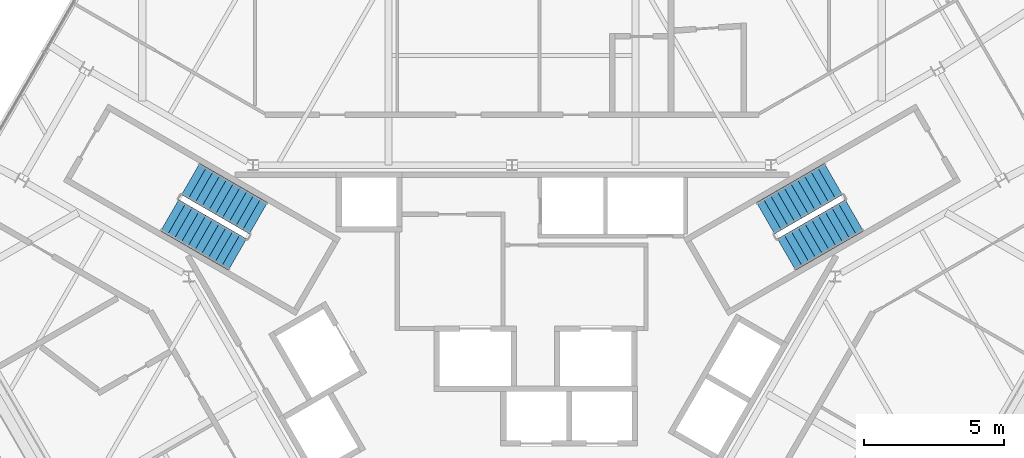
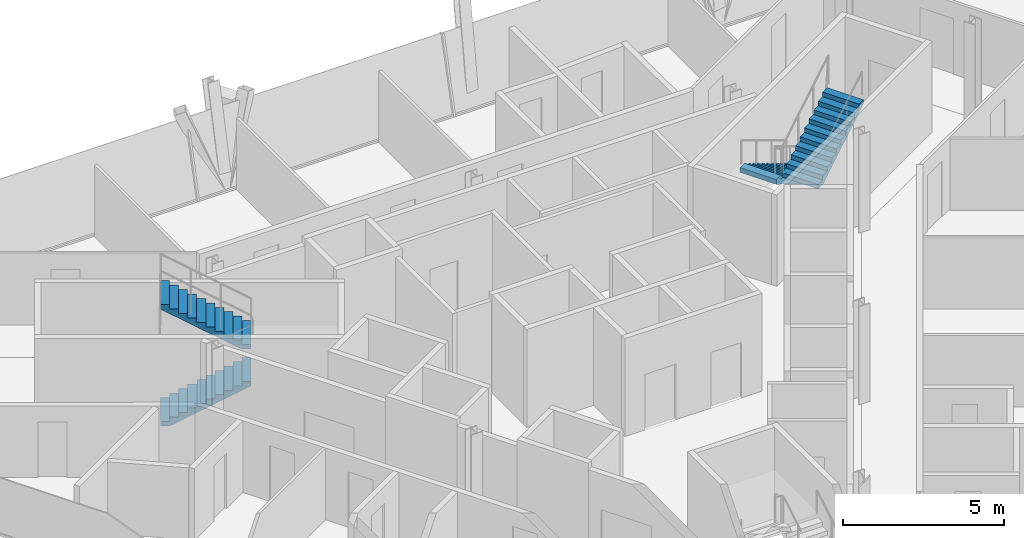
# One storey, part 10 of 11: 4 stair flights, 2 elements without a shape of their own.
"""IFC4 building model written with IfcOpenShell, lengths in metres."""

from ifc_helpers import new_model, si_unit, direction, frame, origin, place, context, subcontext, project, spatial, polyline, outline, extrude, material, type_object, element, aggregate, save


model = new_model("IFC4")

# Units and contexts
model_context = context("Model", 3, precision=1e-05, world=origin(), true_north=direction((0.0, 1.0)))
body_context = subcontext(model_context, "Body", "Model", "MODEL_VIEW")
ifc_project = project(units=[si_unit("LENGTHUNIT", "METRE"), si_unit("AREAUNIT", "SQUARE_METRE"), si_unit("VOLUMEUNIT", "CUBIC_METRE"), si_unit("PLANEANGLEUNIT", "RADIAN"), si_unit("MASSUNIT", "GRAM", prefix="KILO")], contexts=[model_context])

# Site, building, storey
site_placement = place(None, origin())
site = spatial("IfcSite", under=ifc_project, at=site_placement, CompositionType="ELEMENT")
building_placement = place(site_placement, origin())
building = spatial("IfcBuilding", under=site, at=building_placement, Name="Verrane Prism Tower", CompositionType="ELEMENT")
storey_placement = place(building_placement, frame((0.0, 0.0, 232.300048828125)))
storey = spatial("IfcBuildingStorey", under=building, at=storey_placement, Name="L58", CompositionType="ELEMENT", Elevation=232.300048828125)

# Stair, stair flights
ifc_material_1 = material(Name="Concrete C40/50", Category="concrete")
stair_type = type_object("IfcStairType", Name="Exit stair 1300 dog-leg precast concrete C40/50", PredefinedType="HALF_TURN_STAIR", material=ifc_material_1)
stair_1_placement = place(storey_placement, origin())
stair_1 = element("IfcStair", 1, at=stair_1_placement, inside=storey, type_object=stair_type, Name="Stair 1 L58", PredefinedType="HALF_TURN_STAIR")
ifc_material_2 = material(Name="Concrete C40/50", Category="concrete")
stair_flight_type = type_object("IfcStairFlightType", Name="Stair flight 1300 precast concrete C40/50", PredefinedType="STRAIGHT", material=ifc_material_2)
stair_flight_1_placement = place(storey_placement, frame((11.489501953125, 7.49951171875, 0.0), z_axis=(0.0, 0.0, 1.0), x_axis=(-0.866025403784, -0.5, 0.0)))
stair_flight_1 = element("IfcStairFlight", 2, at=stair_flight_1_placement, type_object=stair_flight_type, Name="Stair 1 flight 1", NumberOfRisers=11, NumberOfTreads=10, PredefinedType="STRAIGHT", RiserHeight=0.168181818, TreadLength=0.28, context=body_context, shape_type="SweptSolid", body=[
    extrude(outline(polyline([(0.0, 0.0), (0.0, 0.168212890625), (0.280029296875, 0.168212890625), (0.280029296875, 0.33642578125), (0.56005859375, 0.33642578125), (0.56005859375, 0.504638671875), (0.840087890625, 0.504638671875), (0.840087890625, 0.672607421875), (1.1201171875, 0.672607421875), (1.1201171875, 0.8408203125), (1.39990234375, 0.8408203125), (1.39990234375, 1.009033203125), (1.679931640625, 1.009033203125), (1.679931640625, 1.17724609375), (1.9599609375, 1.17724609375), (1.9599609375, 1.345458984375), (2.239990234375, 1.345458984375), (2.239990234375, 1.513671875), (2.52001953125, 1.513671875), (2.52001953125, 1.681884765625), (2.800048828125, 1.681884765625), (2.800048828125, 1.85009765625), (2.800048828125, 1.5068359375), (0.291015625, 0.0), (0.0, 0.0)])), frame((0.0, 0.64990234375, 0.0), z_axis=(0.0, -1.0, 0.0), x_axis=(1.0, 0.0, 0.0)), (0.0, 0.0, 1.0), 1.300048828125),
])
stair_flight_2_placement = place(storey_placement, frame((9.814697265625, 4.800537109375, 1.849853515625), z_axis=(0.0, 0.0, 1.0), x_axis=(0.866025403784, 0.5, 0.0)))
stair_flight_2 = element("IfcStairFlight", 3, at=stair_flight_2_placement, type_object=stair_flight_type, Name="Stair 1 flight 2", NumberOfRisers=11, NumberOfTreads=10, PredefinedType="STRAIGHT", RiserHeight=0.168181818, TreadLength=0.28, context=body_context, shape_type="SweptSolid", body=[
    extrude(outline(polyline([(0.0, 0.0), (0.0, 0.168212890625), (0.280029296875, 0.168212890625), (0.280029296875, 0.33642578125), (0.56005859375, 0.33642578125), (0.56005859375, 0.504638671875), (0.840087890625, 0.504638671875), (0.840087890625, 0.672607421875), (1.1201171875, 0.672607421875), (1.1201171875, 0.8408203125), (1.39990234375, 0.8408203125), (1.39990234375, 1.009033203125), (1.679931640625, 1.009033203125), (1.679931640625, 1.17724609375), (1.9599609375, 1.17724609375), (1.9599609375, 1.345458984375), (2.239990234375, 1.345458984375), (2.239990234375, 1.513671875), (2.52001953125, 1.513671875), (2.52001953125, 1.681884765625), (2.800048828125, 1.681884765625), (2.800048828125, 1.85009765625), (2.800048828125, 1.5068359375), (0.291015625, 0.0), (0.0, 0.0)])), frame((0.0, 0.64990234375, 0.0), z_axis=(0.0, -1.0, 0.0), x_axis=(1.0, 0.0, 0.0)), (0.0, 0.0, 1.0), 1.300048828125),
])
aggregate(stair_1, [stair_flight_1, stair_flight_2])

stair_2_placement = place(storey_placement, origin())
stair_2 = element("IfcStair", 4, at=stair_2_placement, inside=storey, type_object=stair_type, Name="Stair 2 L58", PredefinedType="HALF_TURN_STAIR")
stair_flight_3_placement = place(storey_placement, frame((-12.239501953125, 6.200439453125, 0.0), z_axis=(0.0, 0.0, 1.0), x_axis=(0.866025403784, -0.5, 0.0)))
stair_flight_3 = element("IfcStairFlight", 5, at=stair_flight_3_placement, type_object=stair_flight_type, Name="Stair 2 flight 1", NumberOfRisers=11, NumberOfTreads=10, PredefinedType="STRAIGHT", RiserHeight=0.168181818, TreadLength=0.28, context=body_context, shape_type="SweptSolid", body=[
    extrude(outline(polyline([(0.0, 0.0), (0.0, 0.168212890625), (0.280029296875, 0.168212890625), (0.280029296875, 0.33642578125), (0.56005859375, 0.33642578125), (0.56005859375, 0.504638671875), (0.840087890625, 0.504638671875), (0.840087890625, 0.672607421875), (1.1201171875, 0.672607421875), (1.1201171875, 0.8408203125), (1.39990234375, 0.8408203125), (1.39990234375, 1.009033203125), (1.679931640625, 1.009033203125), (1.679931640625, 1.17724609375), (1.9599609375, 1.17724609375), (1.9599609375, 1.345458984375), (2.239990234375, 1.345458984375), (2.239990234375, 1.513671875), (2.52001953125, 1.513671875), (2.52001953125, 1.681884765625), (2.800048828125, 1.681884765625), (2.800048828125, 1.85009765625), (2.800048828125, 1.5068359375), (0.291015625, 0.0), (0.0, 0.0)])), frame((0.0, 0.64990234375, 0.0), z_axis=(0.0, -1.0, 0.0), x_axis=(1.0, 0.0, 0.0)), (0.0, 0.0, 1.0), 1.300048828125),
])
stair_flight_4_placement = place(storey_placement, frame((-9.064697265625, 6.099609375, 1.849853515625), z_axis=(0.0, 0.0, 1.0), x_axis=(-0.866025403784, 0.5, 0.0)))
stair_flight_4 = element("IfcStairFlight", 6, at=stair_flight_4_placement, type_object=stair_flight_type, Name="Stair 2 flight 2", NumberOfRisers=11, NumberOfTreads=10, PredefinedType="STRAIGHT", RiserHeight=0.168181818, TreadLength=0.28, context=body_context, shape_type="SweptSolid", body=[
    extrude(outline(polyline([(0.0, 0.0), (0.0, 0.168212890625), (0.280029296875, 0.168212890625), (0.280029296875, 0.33642578125), (0.56005859375, 0.33642578125), (0.56005859375, 0.504638671875), (0.840087890625, 0.504638671875), (0.840087890625, 0.672607421875), (1.1201171875, 0.672607421875), (1.1201171875, 0.8408203125), (1.39990234375, 0.8408203125), (1.39990234375, 1.009033203125), (1.679931640625, 1.009033203125), (1.679931640625, 1.17724609375), (1.9599609375, 1.17724609375), (1.9599609375, 1.345458984375), (2.239990234375, 1.345458984375), (2.239990234375, 1.513671875), (2.52001953125, 1.513671875), (2.52001953125, 1.681884765625), (2.800048828125, 1.681884765625), (2.800048828125, 1.85009765625), (2.800048828125, 1.5068359375), (0.291015625, 0.0), (0.0, 0.0)])), frame((0.0, 0.64990234375, 0.0), z_axis=(0.0, -1.0, 0.0), x_axis=(1.0, 0.0, 0.0)), (0.0, 0.0, 1.0), 1.300048828125),
])
aggregate(stair_2, [stair_flight_3, stair_flight_4])

save(model, "model.ifc")
